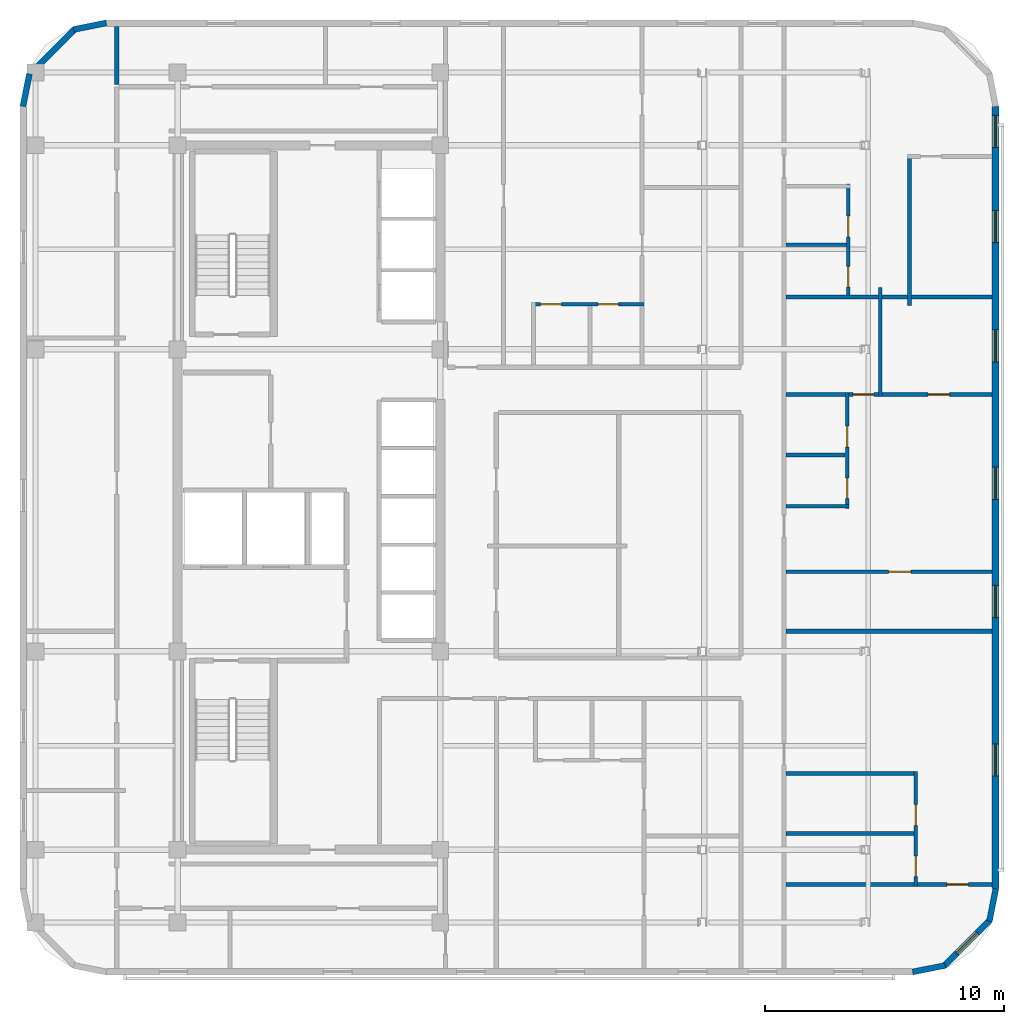
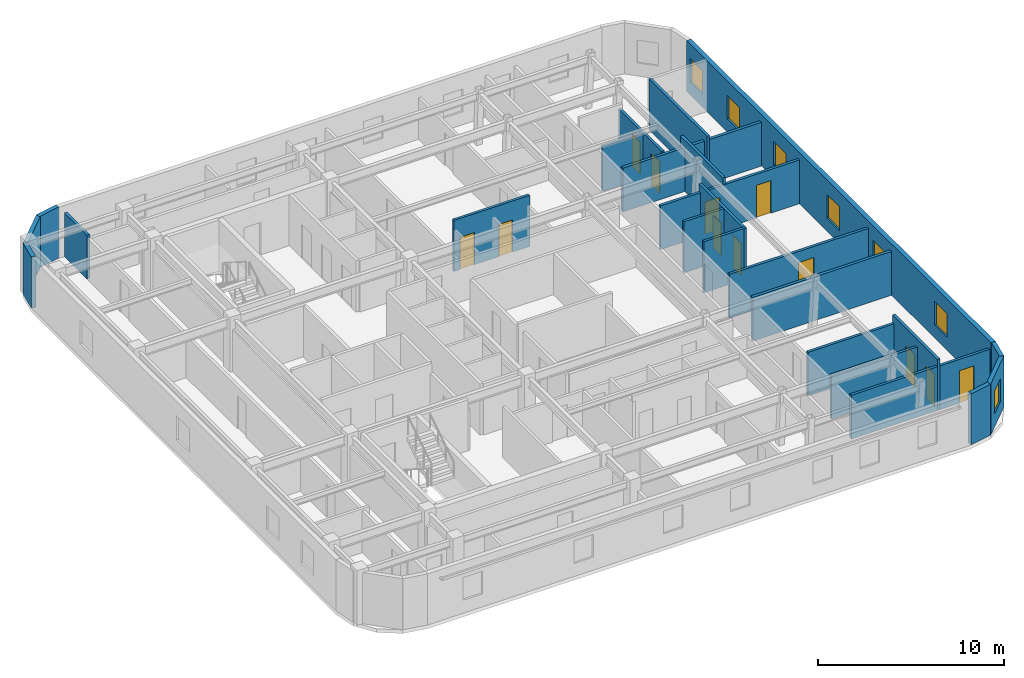
# One storey, part 5 of 10: 24 walls, 12 doors, 7 windows, 19 openings.
"""IFC4 building model written with IfcOpenShell, lengths in metres."""

from ifc_helpers import new_model, si_unit, direction, frame, frame_2d, origin, place, context, subcontext, project, spatial, rectangle, extrude, material, layer, layer_set, type_object, element, fill, save


model = new_model("IFC4")

# Units and contexts
model_context = context("Model", 3, precision=1e-05, world=origin(), true_north=direction((0.0, 1.0)))
body_context = subcontext(model_context, "Body", "Model", "MODEL_VIEW")
ifc_project = project(units=[si_unit("LENGTHUNIT", "METRE"), si_unit("AREAUNIT", "SQUARE_METRE"), si_unit("VOLUMEUNIT", "CUBIC_METRE"), si_unit("PLANEANGLEUNIT", "RADIAN"), si_unit("MASSUNIT", "GRAM", prefix="KILO")], contexts=[model_context])

# Site, building, storey
site_placement = place(None, origin())
site = spatial("IfcSite", under=ifc_project, at=site_placement, CompositionType="ELEMENT")
building_placement = place(site_placement, origin())
building = spatial("IfcBuilding", under=site, at=building_placement, Name="Ochreholt Gables", CompositionType="ELEMENT")
storey_placement = place(building_placement, frame((0.0, 0.0, 177.60009765625)))
storey = spatial("IfcBuildingStorey", under=building, at=storey_placement, Name="L46", CompositionType="ELEMENT", Elevation=177.60009765625)

# Wall, openings, windows
ifc_material_1 = material(Name="Precast concrete 40 MPa", Category="concrete")
ifc_layer_1 = layer(ifc_material_1, 0.280029296875, Name="Precast concrete 40 MPa")
ifc_layer_set_1 = layer_set([ifc_layer_1], Name="Precast concrete 40 MPa")
wall_type_1 = type_object("IfcWallType", Name="WALL-EXT-280", PredefinedType="SOLIDWALL", material=ifc_layer_set_1)
wall_1_placement = place(storey_placement, frame((58.4599609375, 7.6201171875, 0.0), z_axis=(0.0, 0.0, 1.0), x_axis=(0.0, 1.0, 0.0)))
wall_1 = element("IfcWall", 1, at=wall_1_placement, inside=storey, type_object=wall_type_1, Name="L46 East Exterior Wall", PredefinedType="SOLIDWALL", context=body_context, shape_type="SweptSolid", body=[
    extrude(rectangle(XDim=32.759765625, YDim=0.280029296875, at=frame_2d((16.3798828125, 0.0))), origin(), (0.0, 0.0, 1.0), 3.35986328125),
])
opening_1_placement = place(wall_1_placement, frame((4.715087890625, 0.0, 0.85009765625)))
opening_1 = element("IfcOpeningElement", 2, at=opening_1_placement, cuts=wall_1, Name="Opening WN-8", PredefinedType="OPENING", context=body_context, shape_type="SweptSolid", body=[
    extrude(rectangle(XDim=1.35009765625, YDim=1.550048828125, at=frame_2d((0.675048828125, 0.77490234375))), frame((0.0, 0.14990234375, 0.0), z_axis=(0.0, -1.0, 0.0), x_axis=(1.0, 0.0, 0.0)), (0.0, 0.0, 1.0), 0.300048828125),
])
opening_2_placement = place(wall_1_placement, frame((11.35009765625, 0.0, 0.85009765625)))
opening_2 = element("IfcOpeningElement", 3, at=opening_2_placement, cuts=wall_1, Name="Opening WN-8", PredefinedType="OPENING", context=body_context, shape_type="SweptSolid", body=[
    extrude(rectangle(XDim=1.35009765625, YDim=1.550048828125, at=frame_2d((0.675048828125, 0.77490234375))), frame((0.0, 0.14990234375, 0.0), z_axis=(0.0, -1.0, 0.0), x_axis=(1.0, 0.0, 0.0)), (0.0, 0.0, 1.0), 0.300048828125),
])
opening_3_placement = place(wall_1_placement, frame((16.304931640625, 0.0, 0.85009765625)))
opening_3 = element("IfcOpeningElement", 4, at=opening_3_placement, cuts=wall_1, Name="Opening WN-8", PredefinedType="OPENING", context=body_context, shape_type="SweptSolid", body=[
    extrude(rectangle(XDim=1.35009765625, YDim=1.550048828125, at=frame_2d((0.675048828125, 0.77490234375))), frame((0.0, 0.14990234375, 0.0), z_axis=(0.0, -1.0, 0.0), x_axis=(1.0, 0.0, 0.0)), (0.0, 0.0, 1.0), 0.300048828125),
])
opening_4_placement = place(wall_1_placement, frame((22.06005859375, 0.0, 0.85009765625)))
opening_4 = element("IfcOpeningElement", 5, at=opening_4_placement, cuts=wall_1, Name="Opening WN-8", PredefinedType="OPENING", context=body_context, shape_type="SweptSolid", body=[
    extrude(rectangle(XDim=1.35009765625, YDim=1.550048828125, at=frame_2d((0.675048828125, 0.77490234375))), frame((0.0, 0.14990234375, 0.0), z_axis=(0.0, -1.0, 0.0), x_axis=(1.0, 0.0, 0.0)), (0.0, 0.0, 1.0), 0.300048828125),
])
opening_5_placement = place(wall_1_placement, frame((27.050048828125, 0.0, 0.85009765625)))
opening_5 = element("IfcOpeningElement", 6, at=opening_5_placement, cuts=wall_1, Name="Opening WN-8", PredefinedType="OPENING", context=body_context, shape_type="SweptSolid", body=[
    extrude(rectangle(XDim=1.35009765625, YDim=1.550048828125, at=frame_2d((0.675048828125, 0.77490234375))), frame((0.0, 0.14990234375, 0.0), z_axis=(0.0, -1.0, 0.0), x_axis=(1.0, 0.0, 0.0)), (0.0, 0.0, 1.0), 0.300048828125),
])
opening_6_placement = place(wall_1_placement, frame((31.0400390625, 0.0, 0.85009765625)))
opening_6 = element("IfcOpeningElement", 7, at=opening_6_placement, cuts=wall_1, Name="Opening WN-8", PredefinedType="OPENING", context=body_context, shape_type="SweptSolid", body=[
    extrude(rectangle(XDim=1.35009765625, YDim=1.550048828125, at=frame_2d((0.675048828125, 0.77490234375))), frame((0.0, 0.14990234375, 0.0), z_axis=(0.0, -1.0, 0.0), x_axis=(1.0, 0.0, 0.0)), (0.0, 0.0, 1.0), 0.300048828125),
])
ifc_material_2 = material(Name="Triple-Glazed Thermally Broken Aluminium Window", Category="aluminium")
window_type_1 = type_object("IfcWindowType", Name="WIN-RES-1350", PartitioningType="SINGLE_PANEL", PredefinedType="WINDOW", material=ifc_material_2)
window_1_placement = place(opening_1_placement, origin())
window_1 = element("IfcWindow", 8, at=window_1_placement, inside=storey, type_object=window_type_1, Name="L46 Window W-EXT-E-L46-1", OverallHeight=1.550048828125, OverallWidth=1.35009765625, PartitioningType="SINGLE_PANEL", PredefinedType="WINDOW", context=body_context, shape_type="SweptSolid", body=[
    extrude(rectangle(XDim=1.35009765625, YDim=1.550048828125, at=frame_2d((0.675048828125, 0.77490234375))), frame((0.0, 0.030029296875, 0.0), z_axis=(0.0, -1.0, 0.0), x_axis=(1.0, 0.0, 0.0)), (0.0, 0.0, 1.0), 0.06005859375),
])
fill(opening_1, window_1)
window_2_placement = place(opening_2_placement, origin())
window_2 = element("IfcWindow", 9, at=window_2_placement, inside=storey, type_object=window_type_1, Name="L46 Window W-EXT-E-L46-2", OverallHeight=1.550048828125, OverallWidth=1.35009765625, PartitioningType="SINGLE_PANEL", PredefinedType="WINDOW", context=body_context, shape_type="SweptSolid", body=[
    extrude(rectangle(XDim=1.35009765625, YDim=1.550048828125, at=frame_2d((0.675048828125, 0.77490234375))), frame((0.0, 0.030029296875, 0.0), z_axis=(0.0, -1.0, 0.0), x_axis=(1.0, 0.0, 0.0)), (0.0, 0.0, 1.0), 0.06005859375),
])
fill(opening_2, window_2)
window_3_placement = place(opening_3_placement, origin())
window_3 = element("IfcWindow", 10, at=window_3_placement, inside=storey, type_object=window_type_1, Name="L46 Window W-EXT-E-L46-3", OverallHeight=1.550048828125, OverallWidth=1.35009765625, PartitioningType="SINGLE_PANEL", PredefinedType="WINDOW", context=body_context, shape_type="SweptSolid", body=[
    extrude(rectangle(XDim=1.35009765625, YDim=1.550048828125, at=frame_2d((0.675048828125, 0.77490234375))), frame((0.0, 0.030029296875, 0.0), z_axis=(0.0, -1.0, 0.0), x_axis=(1.0, 0.0, 0.0)), (0.0, 0.0, 1.0), 0.06005859375),
])
fill(opening_3, window_3)
window_4_placement = place(opening_4_placement, origin())
window_4 = element("IfcWindow", 11, at=window_4_placement, inside=storey, type_object=window_type_1, Name="L46 Window W-EXT-E-L46-4", OverallHeight=1.550048828125, OverallWidth=1.35009765625, PartitioningType="SINGLE_PANEL", PredefinedType="WINDOW", context=body_context, shape_type="SweptSolid", body=[
    extrude(rectangle(XDim=1.35009765625, YDim=1.550048828125, at=frame_2d((0.675048828125, 0.77490234375))), frame((0.0, 0.030029296875, 0.0), z_axis=(0.0, -1.0, 0.0), x_axis=(1.0, 0.0, 0.0)), (0.0, 0.0, 1.0), 0.06005859375),
])
fill(opening_4, window_4)
window_5_placement = place(opening_5_placement, origin())
window_5 = element("IfcWindow", 12, at=window_5_placement, inside=storey, type_object=window_type_1, Name="L46 Window W-EXT-E-L46-5", OverallHeight=1.550048828125, OverallWidth=1.35009765625, PartitioningType="SINGLE_PANEL", PredefinedType="WINDOW", context=body_context, shape_type="SweptSolid", body=[
    extrude(rectangle(XDim=1.35009765625, YDim=1.550048828125, at=frame_2d((0.675048828125, 0.77490234375))), frame((0.0, 0.030029296875, 0.0), z_axis=(0.0, -1.0, 0.0), x_axis=(1.0, 0.0, 0.0)), (0.0, 0.0, 1.0), 0.06005859375),
])
fill(opening_5, window_5)
window_6_placement = place(opening_6_placement, origin())
window_6 = element("IfcWindow", 13, at=window_6_placement, inside=storey, type_object=window_type_1, Name="L46 Window W-EXT-E-L46-6", OverallHeight=1.550048828125, OverallWidth=1.35009765625, PartitioningType="SINGLE_PANEL", PredefinedType="WINDOW", context=body_context, shape_type="SweptSolid", body=[
    extrude(rectangle(XDim=1.35009765625, YDim=1.550048828125, at=frame_2d((0.675048828125, 0.77490234375))), frame((0.0, 0.030029296875, 0.0), z_axis=(0.0, -1.0, 0.0), x_axis=(1.0, 0.0, 0.0)), (0.0, 0.0, 1.0), 0.06005859375),
])
fill(opening_6, window_6)

# Wall
ifc_layer_2 = layer(ifc_material_1, 0.25, Name="Precast concrete 40 MPa")
ifc_layer_set_2 = layer_set([ifc_layer_2], Name="Precast concrete 40 MPa")
wall_type_2 = type_object("IfcWallType", Name="WALL-EXT-CNR", PredefinedType="SOLIDWALL", material=ifc_layer_set_2)
wall_2_placement = place(storey_placement, frame((54.9833984375, 4.124267578125, 0.0), z_axis=(0.0, 0.0, 1.0), x_axis=(0.980809899341, 0.19496651342, 0.0)))
element("IfcWall", 14, at=wall_2_placement, inside=storey, type_object=wall_type_2, Name="L46 Rounded Corner Wall SE-1", PredefinedType="SOLIDWALL", context=body_context, shape_type="SweptSolid", body=[
    extrude(rectangle(XDim=1.388671875, YDim=0.25, at=frame_2d((0.6943359375, 0.0))), origin(), (0.0, 0.0, 1.0), 3.35986328125),
])

# Wall, opening, window
wall_3_placement = place(storey_placement, frame((56.294921875, 4.367919921875, 0.0), z_axis=(0.0, 0.0, 1.0), x_axis=(0.707106781187, 0.707106781187, 0.0)))
wall_3 = element("IfcWall", 15, at=wall_3_placement, inside=storey, type_object=wall_type_2, Name="L46 Rounded Corner Wall SE-2", PredefinedType="SOLIDWALL", context=body_context, shape_type="SweptSolid", body=[
    extrude(rectangle(XDim=2.7392578125, YDim=0.25, at=frame_2d((1.36962890625, 0.0))), origin(), (0.0, 0.0, 1.0), 3.35986328125),
])
opening_7_placement = place(wall_3_placement, frame((0.769775390625, 0.0, 0.85009765625)))
opening_7 = element("IfcOpeningElement", 16, at=opening_7_placement, cuts=wall_3, Name="Opening WN-3", PredefinedType="OPENING", context=body_context, shape_type="SweptSolid", body=[
    extrude(rectangle(XDim=1.199951171875, YDim=1.5, at=frame_2d((0.60009765625, 0.75))), frame((0.0, 0.135009765625, 0.0), z_axis=(0.0, -1.0, 0.0), x_axis=(1.0, 0.0, 0.0)), (0.0, 0.0, 1.0), 0.27001953125),
])
window_type_2 = type_object("IfcWindowType", Name="WIN-RES-1200", PartitioningType="SINGLE_PANEL", PredefinedType="WINDOW", material=ifc_material_2)
window_7_placement = place(opening_7_placement, origin())
window_7 = element("IfcWindow", 17, at=window_7_placement, inside=storey, type_object=window_type_2, Name="L46 Corner Bedroom Window SE", OverallHeight=1.5, OverallWidth=1.199951171875, PartitioningType="SINGLE_PANEL", PredefinedType="WINDOW", context=body_context, shape_type="SweptSolid", body=[
    extrude(rectangle(XDim=1.199951171875, YDim=1.5, at=frame_2d((0.60009765625, 0.75))), frame((0.0, 0.030029296875, 0.0), z_axis=(0.0, -1.0, 0.0), x_axis=(1.0, 0.0, 0.0)), (0.0, 0.0, 1.0), 0.06005859375),
])
fill(opening_7, window_7)

# Walls
for number, where, z_axis, x_axis, name in (
    (18, (58.205078125, 6.25439453125, 0.0), (0.0, 0.0, 1.0), (0.19496651342, 0.980809899341, 0.0), "L46 Rounded Corner Wall SE-3"),
    (19, (21.216552734375, 43.875732421875, 0.0), (0.0, 0.0, 1.0), (-0.980809899341, -0.19496651342, 0.0), "L46 Rounded Corner Wall NW-1"),
):
    element("IfcWall", number, at=place(storey_placement, frame(where, z_axis=z_axis, x_axis=x_axis)), inside=storey, type_object=wall_type_2, Name=name, PredefinedType="SOLIDWALL", context=body_context, shape_type="SweptSolid", body=[
        extrude(rectangle(XDim=1.388671875, YDim=0.25, at=frame_2d((0.6943359375, 0.0))), origin(), (0.0, 0.0, 1.0), 3.35986328125),
    ])
wall_4_placement = place(storey_placement, frame((19.905029296875, 43.632080078125, 0.0), z_axis=(0.0, 0.0, 1.0), x_axis=(-0.707106781187, -0.707106781187, 0.0)))
element("IfcWall", 20, at=wall_4_placement, inside=storey, type_object=wall_type_2, Name="L46 Rounded Corner Wall NW-2", PredefinedType="SOLIDWALL", context=body_context, shape_type="SweptSolid", body=[
    extrude(rectangle(XDim=2.7392578125, YDim=0.25, at=frame_2d((1.36962890625, 0.0))), origin(), (0.0, 0.0, 1.0), 3.35986328125),
])
wall_5_placement = place(storey_placement, frame((17.9951171875, 41.74560546875, 0.0), z_axis=(0.0, 0.0, 1.0), x_axis=(-0.195135625965, -0.9807762678, 0.0)))
element("IfcWall", 21, at=wall_5_placement, inside=storey, type_object=wall_type_2, Name="L46 Rounded Corner Wall NW-3", PredefinedType="SOLIDWALL", context=body_context, shape_type="SweptSolid", body=[
    extrude(rectangle(XDim=1.388671875, YDim=0.25, at=frame_2d((0.6943359375, 0.0))), origin(), (0.0, 0.0, 1.0), 3.35986328125),
])
ifc_material_3 = material(Name="Double-Stud Acoustic Demising Wall", Category="gypsum")
ifc_layer_3 = layer(ifc_material_3, 0.179931640625, Name="Double-Stud Acoustic Demising Wall")
ifc_layer_set_3 = layer_set([ifc_layer_3], Name="Double-Stud Acoustic Demising Wall")
wall_type_3 = type_object("IfcWallType", Name="WALL-INT-DM180", PredefinedType="PARTITIONING", material=ifc_layer_set_3)
wall_6_placement = place(storey_placement, frame((21.64990234375, 41.2900390625, 0.0), z_axis=(0.0, 0.0, 1.0), x_axis=(0.0, 1.0, 0.0)))
element("IfcWall", 22, at=wall_6_placement, inside=storey, type_object=wall_type_3, Name="L46 Interior Wall WI-C2WWN-L46", PredefinedType="PARTITIONING", context=body_context, shape_type="SweptSolid", body=[
    extrude(rectangle(XDim=2.429931640625, YDim=0.179931640625, at=frame_2d((1.21484375, 0.0))), origin(), (0.0, 0.0, 1.0), 2.87890625),
])
for number, where, z_axis, x_axis, name in (
    (23, (49.68994140625, 18.39990234375, 0.0), (0.0, 0.0, 1.0), (1.0, 0.0, 0.0), "L46 Interior Wall WI-C2FED2-L46"),
    (24, (49.68994140625, 32.39990234375, 0.0), (0.0, 0.0, 1.0), (1.0, 0.0, 0.0), "L46 Interior Wall WI-C2FED3-L46"),
):
    element("IfcWall", number, at=place(storey_placement, frame(where, z_axis=z_axis, x_axis=x_axis)), inside=storey, type_object=wall_type_3, Name=name, PredefinedType="PARTITIONING", context=body_context, shape_type="SweptSolid", body=[
        extrude(rectangle(XDim=8.630126953125, YDim=0.179931640625, at=frame_2d((4.31494140625, 0.0))), origin(), (0.0, 0.0, 1.0), 2.87890625),
    ])

# Wall, openings, doors
ifc_material_4 = material(Name="Moisture-Resistant Plumbing Chase Wall", Category="gypsum")
ifc_layer_4 = layer(ifc_material_4, 0.159912109375, Name="Moisture-Resistant Plumbing Chase Wall")
ifc_layer_set_4 = layer_set([ifc_layer_4], Name="Moisture-Resistant Plumbing Chase Wall")
wall_type_4 = type_object("IfcWallType", Name="WALL-INT-PL160", PredefinedType="PLUMBINGWALL", material=ifc_layer_set_4)
wall_7_placement = place(storey_placement, frame((39.030029296875, 32.094970703125, 0.0), z_axis=(0.0, 0.0, 1.0), x_axis=(1.0, 0.0, 0.0)))
wall_7 = element("IfcWall", 25, at=wall_7_placement, inside=storey, type_object=wall_type_4, Name="L46 Interior Wall WU-L46N1-WY", PredefinedType="PLUMBINGWALL", context=body_context, shape_type="SweptSolid", body=[
    extrude(rectangle(XDim=4.7099609375, YDim=0.159912109375, at=frame_2d((2.35498046875, 0.0))), origin(), (0.0, 0.0, 1.0), 3.35986328125),
])
opening_8_placement = place(wall_7_placement, frame((0.3798828125, 0.0, 0.0)))
opening_8 = element("IfcOpeningElement", 26, at=opening_8_placement, cuts=wall_7, Name="Opening D-GN2", PredefinedType="OPENING", context=body_context, shape_type="SweptSolid", body=[
    extrude(rectangle(XDim=0.8798828125, YDim=2.1201171875, at=frame_2d((0.43994140625, 1.06005859375))), frame((0.0, 0.08984375, 0.0), z_axis=(0.0, -1.0, 0.0), x_axis=(1.0, 0.0, 0.0)), (0.0, 0.0, 1.0), 0.179931640625),
])
opening_9_placement = place(wall_7_placement, frame((2.785888671875, 0.0, 0.0)))
opening_9 = element("IfcOpeningElement", 27, at=opening_9_placement, cuts=wall_7, Name="Opening D-BT1", PredefinedType="OPENING", context=body_context, shape_type="SweptSolid", body=[
    extrude(rectangle(XDim=0.860107421875, YDim=2.1201171875, at=frame_2d((0.43017578125, 1.06005859375))), frame((0.0, 0.08984375, 0.0), z_axis=(0.0, -1.0, 0.0), x_axis=(1.0, 0.0, 0.0)), (0.0, 0.0, 1.0), 0.179931640625),
])
ifc_material_5 = material(Name="Engineered Oak Timber", Category="wood")
door_type_1 = type_object("IfcDoorType", Name="DR-INT-BTH860", OperationType="NOTDEFINED", PredefinedType="DOOR", material=ifc_material_5)
door_1_placement = place(opening_9_placement, origin())
door_1 = element("IfcDoor", 28, at=door_1_placement, inside=storey, type_object=door_type_1, Name="L46 Door D-U-L46N1-BTH", OperationType="SINGLE_SWING_LEFT", OverallHeight=2.1201171875, OverallWidth=0.860107421875, PredefinedType="DOOR", context=body_context, shape_type="SweptSolid", body=[
    extrude(rectangle(XDim=0.860107421875, YDim=2.1201171875, at=frame_2d((0.43017578125, 1.06005859375))), frame((0.0, 0.02490234375, 0.0), z_axis=(0.0, -1.0, 0.0), x_axis=(1.0, 0.0, 0.0)), (0.0, 0.0, 1.0), 0.050048828125),
])
fill(opening_9, door_1)
door_type_2 = type_object("IfcDoorType", Name="DR-INT-GEN880", OperationType="NOTDEFINED", PredefinedType="DOOR", material=ifc_material_5)
door_2_placement = place(opening_8_placement, origin())
door_2 = element("IfcDoor", 29, at=door_2_placement, inside=storey, type_object=door_type_2, Name="L46 Door D-U-L46N1-KIT", OperationType="SINGLE_SWING_RIGHT", OverallHeight=2.1201171875, OverallWidth=0.8798828125, PredefinedType="DOOR", context=body_context, shape_type="SweptSolid", body=[
    extrude(rectangle(XDim=0.8798828125, YDim=2.1201171875, at=frame_2d((0.43994140625, 1.06005859375))), frame((0.0, 0.02490234375, 0.0), z_axis=(0.0, -1.0, 0.0), x_axis=(1.0, 0.0, 0.0)), (0.0, 0.0, 1.0), 0.050048828125),
])
fill(opening_8, door_2)

# Wall
wall_8_placement = place(storey_placement, frame((49.68994140625, 12.43994140625, 0.0), z_axis=(0.0, 0.0, 1.0), x_axis=(1.0, 0.0, 0.0)))
element("IfcWall", 30, at=wall_8_placement, inside=storey, type_object=wall_type_4, Name="L46 Interior Wall WU-L46FE1-FYN", PredefinedType="PLUMBINGWALL", context=body_context, shape_type="SweptSolid", body=[
    extrude(rectangle(XDim=5.51123046875, YDim=0.159912109375, at=frame_2d((2.755615234375, 0.0))), origin(), (0.0, 0.0, 1.0), 2.87890625),
])

# Wall, openings, doors
wall_9_placement = place(storey_placement, frame((55.12109375, 7.699951171875, 0.0), z_axis=(0.0, 0.0, 1.0), x_axis=(0.0, 1.0, 0.0)))
wall_9 = element("IfcWall", 31, at=wall_9_placement, inside=storey, type_object=wall_type_4, Name="L46 Interior Wall WU-L46FE1-WX", PredefinedType="PLUMBINGWALL", context=body_context, shape_type="SweptSolid", body=[
    extrude(rectangle(XDim=4.830078125, YDim=0.159912109375, at=frame_2d((2.4150390625, 0.0))), origin(), (0.0, 0.0, 1.0), 3.35986328125),
])
opening_10_placement = place(wall_9_placement, frame((0.419921875, 0.0, 0.0)))
opening_10 = element("IfcOpeningElement", 32, at=opening_10_placement, cuts=wall_9, Name="Opening D-BT1", PredefinedType="OPENING", context=body_context, shape_type="SweptSolid", body=[
    extrude(rectangle(XDim=0.860107421875, YDim=2.1201171875, at=frame_2d((0.43017578125, 1.06005859375))), frame((0.0, 0.08984375, 0.0), z_axis=(0.0, -1.0, 0.0), x_axis=(1.0, 0.0, 0.0)), (0.0, 0.0, 1.0), 0.179931640625),
])
opening_11_placement = place(wall_9_placement, frame((2.55908203125, 0.0, 0.0)))
opening_11 = element("IfcOpeningElement", 33, at=opening_11_placement, cuts=wall_9, Name="Opening D-GN2", PredefinedType="OPENING", context=body_context, shape_type="SweptSolid", body=[
    extrude(rectangle(XDim=0.8798828125, YDim=2.1201171875, at=frame_2d((0.43994140625, 1.06005859375))), frame((0.0, 0.08984375, 0.0), z_axis=(0.0, -1.0, 0.0), x_axis=(1.0, 0.0, 0.0)), (0.0, 0.0, 1.0), 0.179931640625),
])
door_3_placement = place(opening_10_placement, origin())
door_3 = element("IfcDoor", 34, at=door_3_placement, inside=storey, type_object=door_type_1, Name="L46 Door D-U-L46FE1-BTH", OperationType="SINGLE_SWING_LEFT", OverallHeight=2.1201171875, OverallWidth=0.860107421875, PredefinedType="DOOR", context=body_context, shape_type="SweptSolid", body=[
    extrude(rectangle(XDim=0.860107421875, YDim=2.1201171875, at=frame_2d((0.43017578125, 1.06005859375))), frame((0.0, 0.02490234375, 0.0), z_axis=(0.0, -1.0, 0.0), x_axis=(1.0, 0.0, 0.0)), (0.0, 0.0, 1.0), 0.050048828125),
])
fill(opening_10, door_3)
door_4_placement = place(opening_11_placement, origin())
door_4 = element("IfcDoor", 35, at=door_4_placement, inside=storey, type_object=door_type_2, Name="L46 Door D-U-L46FE1-KIT", OperationType="SINGLE_SWING_RIGHT", OverallHeight=2.1201171875, OverallWidth=0.8798828125, PredefinedType="DOOR", context=body_context, shape_type="SweptSolid", body=[
    extrude(rectangle(XDim=0.8798828125, YDim=2.1201171875, at=frame_2d((0.43994140625, 1.06005859375))), frame((0.0, 0.02490234375, 0.0), z_axis=(0.0, -1.0, 0.0), x_axis=(1.0, 0.0, 0.0)), (0.0, 0.0, 1.0), 0.050048828125),
])
fill(opening_11, door_4)

# Walls
wall_10_placement = place(storey_placement, frame((49.68994140625, 9.928955078125, 0.0), z_axis=(0.0, 0.0, 1.0), x_axis=(1.0, 0.0, 0.0)))
element("IfcWall", 36, at=wall_10_placement, inside=storey, type_object=wall_type_4, Name="L46 Interior Wall WU-L46FE1-WK", PredefinedType="PLUMBINGWALL", context=body_context, shape_type="SweptSolid", body=[
    extrude(rectangle(XDim=5.351318359375, YDim=0.159912109375, at=frame_2d((2.67578125, 0.0))), origin(), (0.0, 0.0, 1.0), 2.87890625),
])
wall_11_placement = place(storey_placement, frame((49.68994140625, 23.631591796875, 0.0), z_axis=(0.0, 0.0, 1.0), x_axis=(1.0, 0.0, 0.0)))
element("IfcWall", 37, at=wall_11_placement, inside=storey, type_object=wall_type_4, Name="L46 Interior Wall WU-L46FE2-FYS", PredefinedType="PLUMBINGWALL", context=body_context, shape_type="SweptSolid", body=[
    extrude(rectangle(XDim=2.635986328125, YDim=0.159912109375, at=frame_2d((1.31787109375, 0.0))), origin(), (0.0, 0.0, 1.0), 3.35986328125),
])

# Wall, openings, doors
wall_12_placement = place(storey_placement, frame((52.24609375, 23.54150390625, 0.0), z_axis=(0.0, 0.0, 1.0), x_axis=(0.0, 1.0, 0.0)))
wall_12 = element("IfcWall", 38, at=wall_12_placement, inside=storey, type_object=wall_type_4, Name="L46 Interior Wall WU-L46FE2-WX", PredefinedType="PLUMBINGWALL", context=body_context, shape_type="SweptSolid", body=[
    extrude(rectangle(XDim=4.8583984375, YDim=0.159912109375, at=frame_2d((2.42919921875, 0.0))), origin(), (0.0, 0.0, 1.0), 3.35986328125),
])
opening_12_placement = place(wall_12_placement, frame((0.419921875, 0.0, 0.0)))
opening_12 = element("IfcOpeningElement", 39, at=opening_12_placement, cuts=wall_12, Name="Opening D-BT1", PredefinedType="OPENING", context=body_context, shape_type="SweptSolid", body=[
    extrude(rectangle(XDim=0.860107421875, YDim=2.1201171875, at=frame_2d((0.43017578125, 1.06005859375))), frame((0.0, 0.08984375, 0.0), z_axis=(0.0, -1.0, 0.0), x_axis=(1.0, 0.0, 0.0)), (0.0, 0.0, 1.0), 0.179931640625),
])
opening_13_placement = place(wall_12_placement, frame((2.572021484375, 0.0, 0.0)))
opening_13 = element("IfcOpeningElement", 40, at=opening_13_placement, cuts=wall_12, Name="Opening D-GN2", PredefinedType="OPENING", context=body_context, shape_type="SweptSolid", body=[
    extrude(rectangle(XDim=0.8798828125, YDim=2.1201171875, at=frame_2d((0.43994140625, 1.06005859375))), frame((0.0, 0.08984375, 0.0), z_axis=(0.0, -1.0, 0.0), x_axis=(1.0, 0.0, 0.0)), (0.0, 0.0, 1.0), 0.179931640625),
])
door_5_placement = place(opening_12_placement, origin())
door_5 = element("IfcDoor", 41, at=door_5_placement, inside=storey, type_object=door_type_1, Name="L46 Door D-U-L46FE2-BTH", OperationType="SINGLE_SWING_RIGHT", OverallHeight=2.1201171875, OverallWidth=0.860107421875, PredefinedType="DOOR", context=body_context, shape_type="SweptSolid", body=[
    extrude(rectangle(XDim=0.860107421875, YDim=2.1201171875, at=frame_2d((0.43017578125, 1.06005859375))), frame((0.0, 0.02490234375, 0.0), z_axis=(0.0, -1.0, 0.0), x_axis=(1.0, 0.0, 0.0)), (0.0, 0.0, 1.0), 0.050048828125),
])
fill(opening_12, door_5)
door_6_placement = place(opening_13_placement, origin())
door_6 = element("IfcDoor", 42, at=door_6_placement, inside=storey, type_object=door_type_2, Name="L46 Door D-U-L46FE2-KIT", OperationType="SINGLE_SWING_LEFT", OverallHeight=2.1201171875, OverallWidth=0.8798828125, PredefinedType="DOOR", context=body_context, shape_type="SweptSolid", body=[
    extrude(rectangle(XDim=0.8798828125, YDim=2.1201171875, at=frame_2d((0.43994140625, 1.06005859375))), frame((0.0, 0.02490234375, 0.0), z_axis=(0.0, -1.0, 0.0), x_axis=(1.0, 0.0, 0.0)), (0.0, 0.0, 1.0), 0.050048828125),
])
fill(opening_13, door_6)

# Wall
wall_13_placement = place(storey_placement, frame((49.68994140625, 25.78369140625, 0.0), z_axis=(0.0, 0.0, 1.0), x_axis=(1.0, 0.0, 0.0)))
element("IfcWall", 43, at=wall_13_placement, inside=storey, type_object=wall_type_4, Name="L46 Interior Wall WU-L46FE2-WK", PredefinedType="PLUMBINGWALL", context=body_context, shape_type="SweptSolid", body=[
    extrude(rectangle(XDim=2.47607421875, YDim=0.159912109375, at=frame_2d((1.238037109375, 0.0))), origin(), (0.0, 0.0, 1.0), 3.35986328125),
])

# Wall, openings, doors
wall_14_placement = place(storey_placement, frame((52.2919921875, 32.489990234375, 0.0), z_axis=(0.0, 0.0, 1.0), x_axis=(0.0, 1.0, 0.0)))
wall_14 = element("IfcWall", 44, at=wall_14_placement, inside=storey, type_object=wall_type_4, Name="L46 Interior Wall WU-L46FE3-WX", PredefinedType="PLUMBINGWALL", context=body_context, shape_type="SweptSolid", body=[
    extrude(rectangle(XDim=4.639892578125, YDim=0.159912109375, at=frame_2d((2.31982421875, 0.0))), origin(), (0.0, 0.0, 1.0), 2.98388671875),
])
opening_14_placement = place(wall_14_placement, frame((0.330078125, 0.0, 0.0)))
opening_14 = element("IfcOpeningElement", 45, at=opening_14_placement, cuts=wall_14, Name="Opening D-BT1", PredefinedType="OPENING", context=body_context, shape_type="SweptSolid", body=[
    extrude(rectangle(XDim=0.860107421875, YDim=2.1201171875, at=frame_2d((0.43017578125, 1.06005859375))), frame((0.0, 0.08984375, 0.0), z_axis=(0.0, -1.0, 0.0), x_axis=(1.0, 0.0, 0.0)), (0.0, 0.0, 1.0), 0.179931640625),
])
opening_15_placement = place(wall_14_placement, frame((2.423095703125, 0.0, 0.0)))
opening_15 = element("IfcOpeningElement", 46, at=opening_15_placement, cuts=wall_14, Name="Opening D-GN2", PredefinedType="OPENING", context=body_context, shape_type="SweptSolid", body=[
    extrude(rectangle(XDim=0.8798828125, YDim=2.1201171875, at=frame_2d((0.43994140625, 1.06005859375))), frame((0.0, 0.08984375, 0.0), z_axis=(0.0, -1.0, 0.0), x_axis=(1.0, 0.0, 0.0)), (0.0, 0.0, 1.0), 0.179931640625),
])
door_7_placement = place(opening_14_placement, origin())
door_7 = element("IfcDoor", 47, at=door_7_placement, inside=storey, type_object=door_type_1, Name="L46 Door D-U-L46FE3-BTH", OperationType="SINGLE_SWING_LEFT", OverallHeight=2.1201171875, OverallWidth=0.860107421875, PredefinedType="DOOR", context=body_context, shape_type="SweptSolid", body=[
    extrude(rectangle(XDim=0.860107421875, YDim=2.1201171875, at=frame_2d((0.43017578125, 1.06005859375))), frame((0.0, 0.02490234375, 0.0), z_axis=(0.0, -1.0, 0.0), x_axis=(1.0, 0.0, 0.0)), (0.0, 0.0, 1.0), 0.050048828125),
])
fill(opening_14, door_7)
door_8_placement = place(opening_15_placement, origin())
door_8 = element("IfcDoor", 48, at=door_8_placement, inside=storey, type_object=door_type_2, Name="L46 Door D-U-L46FE3-KIT", OperationType="SINGLE_SWING_RIGHT", OverallHeight=2.1201171875, OverallWidth=0.8798828125, PredefinedType="DOOR", context=body_context, shape_type="SweptSolid", body=[
    extrude(rectangle(XDim=0.8798828125, YDim=2.1201171875, at=frame_2d((0.43994140625, 1.06005859375))), frame((0.0, 0.02490234375, 0.0), z_axis=(0.0, -1.0, 0.0), x_axis=(1.0, 0.0, 0.0)), (0.0, 0.0, 1.0), 0.050048828125),
])
fill(opening_15, door_8)

# Wall
wall_15_placement = place(storey_placement, frame((49.68994140625, 34.5830078125, 0.0), z_axis=(0.0, 0.0, 1.0), x_axis=(1.0, 0.0, 0.0)))
element("IfcWall", 49, at=wall_15_placement, inside=storey, type_object=wall_type_4, Name="L46 Interior Wall WU-L46FE3-WM", PredefinedType="PLUMBINGWALL", context=body_context, shape_type="SweptSolid", body=[
    extrude(rectangle(XDim=2.52197265625, YDim=0.159912109375, at=frame_2d((1.260986328125, 0.0))), origin(), (0.0, 0.0, 1.0), 2.98388671875),
])

# Wall, opening, door
ifc_material_6 = material(Name="Gypsum Acoustic Stud Partition", Category="gypsum")
ifc_layer_5 = layer(ifc_material_6, 0.1650390625, Name="Gypsum Acoustic Stud Partition")
ifc_layer_set_5 = layer_set([ifc_layer_5], Name="Gypsum Acoustic Stud Partition")
wall_type_5 = type_object("IfcWallType", Name="WALL-INT-PT165", PredefinedType="PARTITIONING", material=ifc_layer_set_5)
wall_16_placement = place(storey_placement, frame((49.68994140625, 7.7900390625, 0.0), z_axis=(0.0, 0.0, 1.0), x_axis=(1.0, 0.0, 0.0)))
wall_16 = element("IfcWall", 50, at=wall_16_placement, inside=storey, type_object=wall_type_5, Name="L46 Interior Wall WU-L46FE1-MN", PredefinedType="PARTITIONING", context=body_context, shape_type="SweptSolid", body=[
    extrude(rectangle(XDim=8.630126953125, YDim=0.1650390625, at=frame_2d((4.31494140625, 0.0))), origin(), (0.0, 0.0, 1.0), 2.87890625),
])
opening_16_placement = place(wall_16_placement, frame((6.735595703125, 0.0, 0.0)))
opening_16 = element("IfcOpeningElement", 51, at=opening_16_placement, cuts=wall_16, Name="Opening D-BD1", PredefinedType="OPENING", context=body_context, shape_type="SweptSolid", body=[
    extrude(rectangle(XDim=0.89990234375, YDim=2.139892578125, at=frame_2d((0.449951171875, 1.06982421875))), frame((0.0, 0.092529296875, 0.0), z_axis=(0.0, -1.0, 0.0), x_axis=(1.0, 0.0, 0.0)), (0.0, 0.0, 1.0), 0.18505859375),
])
door_type_3 = type_object("IfcDoorType", Name="DR-INT-BED900", OperationType="NOTDEFINED", PredefinedType="DOOR", material=ifc_material_5)
door_9_placement = place(opening_16_placement, origin())
door_9 = element("IfcDoor", 52, at=door_9_placement, inside=storey, type_object=door_type_3, Name="L46 Door D-U-L46FE1-BD1", OperationType="SINGLE_SWING_LEFT", OverallHeight=2.139892578125, OverallWidth=0.89990234375, PredefinedType="DOOR", context=body_context, shape_type="SweptSolid", body=[
    extrude(rectangle(XDim=0.89990234375, YDim=2.139892578125, at=frame_2d((0.449951171875, 1.06982421875))), frame((0.0, 0.02490234375, 0.0), z_axis=(0.0, -1.0, 0.0), x_axis=(1.0, 0.0, 0.0)), (0.0, 0.0, 1.0), 0.050048828125),
])
fill(opening_16, door_9)

# Wall, openings, doors
wall_17_placement = place(storey_placement, frame((49.68994140625, 28.31005859375, 0.0), z_axis=(0.0, 0.0, 1.0), x_axis=(1.0, 0.0, 0.0)))
wall_17 = element("IfcWall", 53, at=wall_17_placement, inside=storey, type_object=wall_type_5, Name="L46 Interior Wall WU-L46FE2-MN", PredefinedType="PARTITIONING", context=body_context, shape_type="SweptSolid", body=[
    extrude(rectangle(XDim=8.630126953125, YDim=0.1650390625, at=frame_2d((4.31494140625, 0.0))), origin(), (0.0, 0.0, 1.0), 2.87890625),
])
opening_17_placement = place(wall_17_placement, frame((2.7958984375, 0.0, 0.0)))
opening_17 = element("IfcOpeningElement", 54, at=opening_17_placement, cuts=wall_17, Name="Opening D-GN2", PredefinedType="OPENING", context=body_context, shape_type="SweptSolid", body=[
    extrude(rectangle(XDim=0.8798828125, YDim=2.1201171875, at=frame_2d((0.43994140625, 1.06005859375))), frame((0.0, 0.092529296875, 0.0), z_axis=(0.0, -1.0, 0.0), x_axis=(1.0, 0.0, 0.0)), (0.0, 0.0, 1.0), 0.18505859375),
])
opening_18_placement = place(wall_17_placement, frame((5.946044921875, 0.0, 0.0)))
opening_18 = element("IfcOpeningElement", 55, at=opening_18_placement, cuts=wall_17, Name="Opening D-BD1", PredefinedType="OPENING", context=body_context, shape_type="SweptSolid", body=[
    extrude(rectangle(XDim=0.89990234375, YDim=2.139892578125, at=frame_2d((0.449951171875, 1.06982421875))), frame((0.0, 0.092529296875, 0.0), z_axis=(0.0, -1.0, 0.0), x_axis=(1.0, 0.0, 0.0)), (0.0, 0.0, 1.0), 0.18505859375),
])
door_10_placement = place(opening_18_placement, origin())
door_10 = element("IfcDoor", 56, at=door_10_placement, inside=storey, type_object=door_type_3, Name="L46 Door D-U-L46FE2-BD1", OperationType="SINGLE_SWING_RIGHT", OverallHeight=2.139892578125, OverallWidth=0.89990234375, PredefinedType="DOOR", context=body_context, shape_type="SweptSolid", body=[
    extrude(rectangle(XDim=0.89990234375, YDim=2.139892578125, at=frame_2d((0.449951171875, 1.06982421875))), frame((0.0, 0.02490234375, 0.0), z_axis=(0.0, -1.0, 0.0), x_axis=(1.0, 0.0, 0.0)), (0.0, 0.0, 1.0), 0.050048828125),
])
fill(opening_18, door_10)
door_11_placement = place(opening_17_placement, origin())
door_11 = element("IfcDoor", 57, at=door_11_placement, inside=storey, type_object=door_type_2, Name="L46 Door D-U-L46FE2-STD", OperationType="SINGLE_SWING_LEFT", OverallHeight=2.1201171875, OverallWidth=0.8798828125, PredefinedType="DOOR", context=body_context, shape_type="SweptSolid", body=[
    extrude(rectangle(XDim=0.8798828125, YDim=2.1201171875, at=frame_2d((0.43994140625, 1.06005859375))), frame((0.0, 0.02490234375, 0.0), z_axis=(0.0, -1.0, 0.0), x_axis=(1.0, 0.0, 0.0)), (0.0, 0.0, 1.0), 0.050048828125),
])
fill(opening_17, door_11)

# Wall, opening, door
wall_18_placement = place(storey_placement, frame((49.68994140625, 20.889892578125, 0.0), z_axis=(0.0, 0.0, 1.0), x_axis=(1.0, 0.0, 0.0)))
wall_18 = element("IfcWall", 58, at=wall_18_placement, inside=storey, type_object=wall_type_5, Name="L46 Interior Wall WU-L46FE2-DNW", PredefinedType="PARTITIONING", context=body_context, shape_type="SweptSolid", body=[
    extrude(rectangle(XDim=8.630126953125, YDim=0.1650390625, at=frame_2d((4.31494140625, 0.0))), origin(), (0.0, 0.0, 1.0), 2.87890625),
])
opening_19_placement = place(wall_18_placement, frame((4.2900390625, 0.0, 0.0)))
opening_19 = element("IfcOpeningElement", 59, at=opening_19_placement, cuts=wall_18, Name="Opening D-GN1", PredefinedType="OPENING", context=body_context, shape_type="SweptSolid", body=[
    extrude(rectangle(XDim=0.949951171875, YDim=2.14990234375, at=frame_2d((0.47509765625, 1.074951171875))), frame((0.0, 0.092529296875, 0.0), z_axis=(0.0, -1.0, 0.0), x_axis=(1.0, 0.0, 0.0)), (0.0, 0.0, 1.0), 0.18505859375),
])
door_type_4 = type_object("IfcDoorType", Name="DR-INT-GEN950", OperationType="NOTDEFINED", PredefinedType="DOOR", material=ifc_material_5)
door_12_placement = place(opening_19_placement, origin())
door_12 = element("IfcDoor", 60, at=door_12_placement, inside=storey, type_object=door_type_4, Name="L46 Door D-U-L46FE2-DIN", OperationType="SINGLE_SWING_RIGHT", OverallHeight=2.14990234375, OverallWidth=0.949951171875, PredefinedType="DOOR", context=body_context, shape_type="SweptSolid", body=[
    extrude(rectangle(XDim=0.949951171875, YDim=2.14990234375, at=frame_2d((0.47509765625, 1.074951171875))), frame((0.0, 0.02490234375, 0.0), z_axis=(0.0, -1.0, 0.0), x_axis=(1.0, 0.0, 0.0)), (0.0, 0.0, 1.0), 0.050048828125),
])
fill(opening_19, door_12)

# Walls
wall_19_placement = place(storey_placement, frame((53.632080078125, 28.22998046875, 0.0), z_axis=(0.0, 0.0, 1.0), x_axis=(0.0, 1.0, 0.0)))
element("IfcWall", 61, at=wall_19_placement, inside=storey, type_object=wall_type_5, Name="L46 Interior Wall WU-L46FE2-BSD", PredefinedType="PARTITIONING", context=body_context, shape_type="SweptSolid", body=[
    extrude(rectangle(XDim=4.56005859375, YDim=0.1650390625, at=frame_2d((2.280029296875, 0.0))), origin(), (0.0, 0.0, 1.0), 3.35986328125),
])
wall_20_placement = place(storey_placement, frame((54.85009765625, 32.0400390625, 0.0), z_axis=(0.0, 0.0, 1.0), x_axis=(0.0, 1.0, 0.0)))
element("IfcWall", 62, at=wall_20_placement, inside=storey, type_object=wall_type_5, Name="L46 Interior Wall WU-L46FE3-STW", PredefinedType="PARTITIONING", context=body_context, shape_type="SweptSolid", body=[
    extrude(rectangle(XDim=6.25, YDim=0.1650390625, at=frame_2d((3.125, 0.0))), origin(), (0.0, 0.0, 1.0), 3.35986328125),
])

save(model, "model.ifc")
